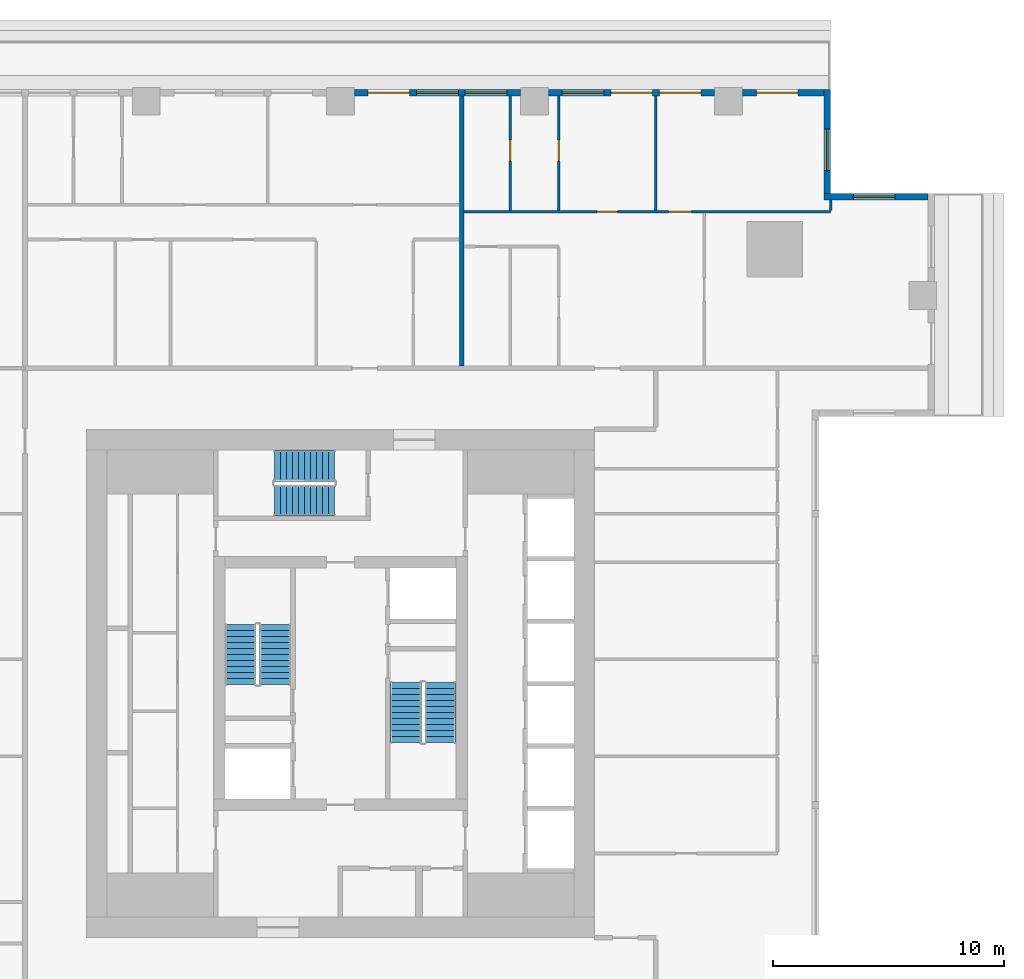
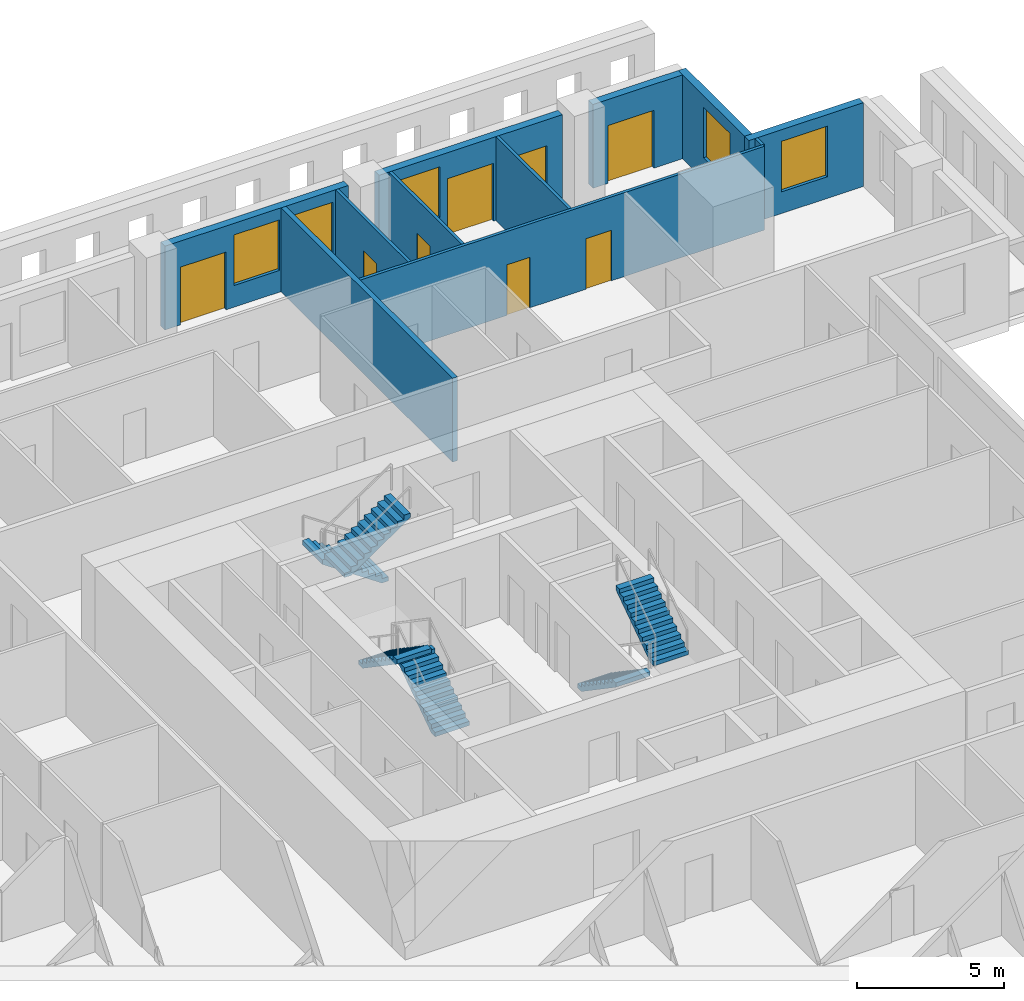
# One storey, part 9 of 15: 11 walls, 8 doors, 6 stair flights, 5 windows, 13 openings, 3 elements without a shape of their own.
"""IFC4 building model written with IfcOpenShell, lengths in metres."""

from ifc_helpers import new_model, si_unit, direction, frame, frame_2d, origin, place, context, subcontext, project, spatial, polyline, rectangle, outline, extrude, material, layer, layer_set, type_object, element, fill, aggregate, save


model = new_model("IFC4")

# Units and contexts
model_context = context("Model", 3, precision=1e-05, world=origin(), true_north=direction((0.0, 1.0)))
body_context = subcontext(model_context, "Body", "Model", "MODEL_VIEW")
ifc_project = project(units=[si_unit("LENGTHUNIT", "METRE"), si_unit("AREAUNIT", "SQUARE_METRE"), si_unit("VOLUMEUNIT", "CUBIC_METRE"), si_unit("PLANEANGLEUNIT", "RADIAN"), si_unit("MASSUNIT", "GRAM", prefix="KILO")], contexts=[model_context])

# Site, building, storey
site_placement = place(None, origin())
site = spatial("IfcSite", under=ifc_project, at=site_placement, CompositionType="ELEMENT")
building_placement = place(site_placement, origin())
building = spatial("IfcBuilding", under=site, at=building_placement, Name="Khepri Terraces", CompositionType="ELEMENT")
storey_placement = place(building_placement, frame((0.0, 0.0, 223.5)))
storey = spatial("IfcBuildingStorey", under=building, at=storey_placement, Name="L53", CompositionType="ELEMENT", Elevation=223.5)

# Wall
ifc_material_1 = material(Name="Fire-rated gypsum plasterboard partition, mineral wool")
ifc_layer_1 = layer(ifc_material_1, 0.199951171875, Name="Fire-rated gypsum plasterboard partition, mineral wool")
ifc_layer_set_1 = layer_set([ifc_layer_1], Name="Fire-rated gypsum plasterboard partition, mineral wool")
wall_type_1 = type_object("IfcWallType", Name="WL-CORR-200", PredefinedType="PARTITIONING", material=ifc_layer_set_1)
wall_1_placement = place(storey_placement, frame((5.25, 13.75, 0.0), z_axis=(0.0, 0.0, 1.0), x_axis=(0.0, 1.0, 0.0)))
element("IfcWall", 1, at=wall_1_placement, inside=storey, type_object=wall_type_1, Name="Partition P-077 L53", PredefinedType="PARTITIONING", context=body_context, shape_type="SweptSolid", body=[
    extrude(rectangle(XDim=11.669921875, YDim=0.199951171875, at=frame_2d((5.8349609375, 0.0))), origin(), (0.0, 0.0, 1.0), 3.47998046875),
])

# Wall, opening, window
ifc_material_2 = material(Name="Precast concrete C50/60 warm stone", Category="masonry")
ifc_layer_2 = layer(ifc_material_2, 0.300048828125, Name="Precast concrete C50/60 warm stone", Category="masonry")
ifc_layer_set_2 = layer_set([ifc_layer_2], Name="Precast concrete C50/60 warm stone")
wall_type_2 = type_object("IfcWallType", Name="WL-EXT-PRECAST-300", PredefinedType="STANDARD", material=ifc_layer_set_2)
wall_2_placement = place(storey_placement, frame((25.419921875, 21.070068359375, 0.0), z_axis=(0.0, 0.0, 1.0), x_axis=(-1.0, 0.0, 0.0)))
wall_2 = element("IfcWall", 2, at=wall_2_placement, inside=storey, type_object=wall_type_2, Name="External wall L53 N", PredefinedType="STANDARD", context=body_context, shape_type="SweptSolid", body=[
    extrude(rectangle(XDim=4.5, YDim=0.300048828125, at=frame_2d((2.25, 0.0))), origin(), (0.0, 0.0, 1.0), 3.47998046875),
])
opening_1_placement = place(wall_2_placement, frame((1.419921875, 0.0, 0.89990234375)))
opening_1 = element("IfcOpeningElement", 3, at=opening_1_placement, cuts=wall_2, Name="Opening W1", PredefinedType="OPENING", context=body_context, shape_type="SweptSolid", body=[
    extrude(rectangle(XDim=1.800048828125, YDim=2.10009765625, at=frame_2d((0.89990234375, 1.050048828125))), frame((0.0, 0.16015625, 0.0), z_axis=(0.0, -1.0, 0.0), x_axis=(1.0, 0.0, 0.0)), (0.0, 0.0, 1.0), 0.320068359375),
])
ifc_material_3 = material(Name="Clear glass", Category="glass")
window_type = type_object("IfcWindowType", Name="WIN-RES-1800x2100", PartitioningType="SINGLE_PANEL", PredefinedType="WINDOW", material=ifc_material_3)
window_1_placement = place(opening_1_placement, origin())
window_1 = element("IfcWindow", 4, at=window_1_placement, inside=storey, type_object=window_type, Name="Window L53 N", OverallHeight=2.10009765625, OverallWidth=1.800048828125, PartitioningType="SINGLE_PANEL", PredefinedType="WINDOW", context=body_context, shape_type="SweptSolid", body=[
    extrude(rectangle(XDim=1.800048828125, YDim=2.10009765625, at=frame_2d((0.89990234375, 1.050048828125))), frame((0.0, 0.030029296875, 0.0), z_axis=(0.0, -1.0, 0.0), x_axis=(1.0, 0.0, 0.0)), (0.0, 0.0, 1.0), 0.06005859375),
])
fill(opening_1, window_1)

wall_3_placement = place(storey_placement, frame((21.070068359375, 21.219970703125, 0.0), z_axis=(0.0, 0.0, 1.0), x_axis=(0.0, 1.0, 0.0)))
wall_3 = element("IfcWall", 5, at=wall_3_placement, inside=storey, type_object=wall_type_2, Name="External wall L53 E", PredefinedType="STANDARD", context=body_context, shape_type="SweptSolid", body=[
    extrude(rectangle(XDim=4.5, YDim=0.300048828125, at=frame_2d((2.25, 0.0))), origin(), (0.0, 0.0, 1.0), 3.47998046875),
])
opening_2_placement = place(wall_3_placement, frame((0.97998046875, 0.0, 0.89990234375)))
opening_2 = element("IfcOpeningElement", 6, at=opening_2_placement, cuts=wall_3, Name="Opening W1", PredefinedType="OPENING", context=body_context, shape_type="SweptSolid", body=[
    extrude(rectangle(XDim=1.800048828125, YDim=2.10009765625, at=frame_2d((0.89990234375, 1.050048828125))), frame((0.0, 0.16015625, 0.0), z_axis=(0.0, -1.0, 0.0), x_axis=(1.0, 0.0, 0.0)), (0.0, 0.0, 1.0), 0.320068359375),
])
window_2_placement = place(opening_2_placement, origin())
window_2 = element("IfcWindow", 7, at=window_2_placement, inside=storey, type_object=window_type, Name="Window L53 E", OverallHeight=2.10009765625, OverallWidth=1.800048828125, PartitioningType="SINGLE_PANEL", PredefinedType="WINDOW", context=body_context, shape_type="SweptSolid", body=[
    extrude(rectangle(XDim=1.800048828125, YDim=2.10009765625, at=frame_2d((0.89990234375, 1.050048828125))), frame((0.0, 0.030029296875, 0.0), z_axis=(0.0, -1.0, 0.0), x_axis=(1.0, 0.0, 0.0)), (0.0, 0.0, 1.0), 0.06005859375),
])
fill(opening_2, window_2)

# Wall, opening, door
wall_4_placement = place(storey_placement, frame((20.919921875, 25.570068359375, 0.0), z_axis=(0.0, 0.0, 1.0), x_axis=(-1.0, 0.0, 0.0)))
wall_4 = element("IfcWall", 8, at=wall_4_placement, inside=storey, type_object=wall_type_2, Name="External wall L53 N", PredefinedType="STANDARD", context=body_context, shape_type="SweptSolid", body=[
    extrude(rectangle(XDim=3.52001953125, YDim=0.300048828125, at=frame_2d((1.760009765625, 0.0))), origin(), (0.0, 0.0, 1.0), 3.47998046875),
])
opening_3_placement = place(wall_4_placement, frame((1.1201171875, 0.0, 0.0)))
opening_3 = element("IfcOpeningElement", 9, at=opening_3_placement, cuts=wall_4, Name="Opening ED-L53-04", PredefinedType="OPENING", context=body_context, shape_type="SweptSolid", body=[
    extrude(rectangle(XDim=1.800048828125, YDim=2.39990234375, at=frame_2d((0.89990234375, 1.199951171875))), frame((0.0, 0.16015625, 0.0), z_axis=(0.0, -1.0, 0.0), x_axis=(1.0, 0.0, 0.0)), (0.0, 0.0, 1.0), 0.320068359375),
])
ifc_material_4 = material(Name="Anodised aluminium bronze glazed door", Category="aluminium")
door_type_1 = type_object("IfcDoorType", Name="DR-BAL-SLIDE-1800x2400", OperationType="NOTDEFINED", PredefinedType="DOOR", material=ifc_material_4)
door_1_placement = place(opening_3_placement, origin())
door_1 = element("IfcDoor", 10, at=door_1_placement, inside=storey, type_object=door_type_1, Name="Balcony door L53 N", OperationType="SLIDING_TO_RIGHT", OverallHeight=2.39990234375, OverallWidth=1.800048828125, PredefinedType="DOOR", context=body_context, shape_type="SweptSolid", body=[
    extrude(rectangle(XDim=1.800048828125, YDim=2.39990234375, at=frame_2d((0.89990234375, 1.199951171875))), frame((0.0, 0.02490234375, 0.0), z_axis=(0.0, -1.0, 0.0), x_axis=(1.0, 0.0, 0.0)), (0.0, 0.0, 1.0), 0.050048828125),
])
fill(opening_3, door_1)

# Wall, openings, doors, window
wall_5_placement = place(storey_placement, frame((16.199951171875, 25.570068359375, 0.0), z_axis=(0.0, 0.0, 1.0), x_axis=(-1.0, 0.0, 0.0)))
wall_5 = element("IfcWall", 11, at=wall_5_placement, inside=storey, type_object=wall_type_2, Name="External wall L53 N", PredefinedType="STANDARD", context=body_context, shape_type="SweptSolid", body=[
    extrude(rectangle(XDim=7.199951171875, YDim=0.300048828125, at=frame_2d((3.60009765625, 0.0))), origin(), (0.0, 0.0, 1.0), 3.47998046875),
])
opening_4_placement = place(wall_5_placement, frame((0.60009765625, 0.0, 0.0)))
opening_4 = element("IfcOpeningElement", 12, at=opening_4_placement, cuts=wall_5, Name="Opening ED-L53-05", PredefinedType="OPENING", context=body_context, shape_type="SweptSolid", body=[
    extrude(rectangle(XDim=1.800048828125, YDim=2.39990234375, at=frame_2d((0.89990234375, 1.199951171875))), frame((0.0, 0.16015625, 0.0), z_axis=(0.0, -1.0, 0.0), x_axis=(1.0, 0.0, 0.0)), (0.0, 0.0, 1.0), 0.320068359375),
])
opening_5_placement = place(wall_5_placement, frame((2.699951171875, 0.0, 0.0)))
opening_5 = element("IfcOpeningElement", 13, at=opening_5_placement, cuts=wall_5, Name="Opening ED-L53-06", PredefinedType="OPENING", context=body_context, shape_type="SweptSolid", body=[
    extrude(rectangle(XDim=1.800048828125, YDim=2.39990234375, at=frame_2d((0.89990234375, 1.199951171875))), frame((0.0, 0.16015625, 0.0), z_axis=(0.0, -1.0, 0.0), x_axis=(1.0, 0.0, 0.0)), (0.0, 0.0, 1.0), 0.320068359375),
])
opening_6_placement = place(wall_5_placement, frame((4.800048828125, 0.0, 0.89990234375)))
opening_6 = element("IfcOpeningElement", 14, at=opening_6_placement, cuts=wall_5, Name="Opening W1", PredefinedType="OPENING", context=body_context, shape_type="SweptSolid", body=[
    extrude(rectangle(XDim=1.800048828125, YDim=2.10009765625, at=frame_2d((0.89990234375, 1.050048828125))), frame((0.0, 0.16015625, 0.0), z_axis=(0.0, -1.0, 0.0), x_axis=(1.0, 0.0, 0.0)), (0.0, 0.0, 1.0), 0.320068359375),
])
door_2_placement = place(opening_4_placement, origin())
door_2 = element("IfcDoor", 15, at=door_2_placement, inside=storey, type_object=door_type_1, Name="Balcony door L53 N", OperationType="SLIDING_TO_LEFT", OverallHeight=2.39990234375, OverallWidth=1.800048828125, PredefinedType="DOOR", context=body_context, shape_type="SweptSolid", body=[
    extrude(rectangle(XDim=1.800048828125, YDim=2.39990234375, at=frame_2d((0.89990234375, 1.199951171875))), frame((0.0, 0.02490234375, 0.0), z_axis=(0.0, -1.0, 0.0), x_axis=(1.0, 0.0, 0.0)), (0.0, 0.0, 1.0), 0.050048828125),
])
fill(opening_4, door_2)
door_3_placement = place(opening_5_placement, origin())
door_3 = element("IfcDoor", 16, at=door_3_placement, inside=storey, type_object=door_type_1, Name="Balcony door L53 N", OperationType="SLIDING_TO_RIGHT", OverallHeight=2.39990234375, OverallWidth=1.800048828125, PredefinedType="DOOR", context=body_context, shape_type="SweptSolid", body=[
    extrude(rectangle(XDim=1.800048828125, YDim=2.39990234375, at=frame_2d((0.89990234375, 1.199951171875))), frame((0.0, 0.02490234375, 0.0), z_axis=(0.0, -1.0, 0.0), x_axis=(1.0, 0.0, 0.0)), (0.0, 0.0, 1.0), 0.050048828125),
])
fill(opening_5, door_3)
window_3_placement = place(opening_6_placement, origin())
window_3 = element("IfcWindow", 17, at=window_3_placement, inside=storey, type_object=window_type, Name="Window L53 N", OverallHeight=2.10009765625, OverallWidth=1.800048828125, PartitioningType="SINGLE_PANEL", PredefinedType="WINDOW", context=body_context, shape_type="SweptSolid", body=[
    extrude(rectangle(XDim=1.800048828125, YDim=2.10009765625, at=frame_2d((0.89990234375, 1.050048828125))), frame((0.0, 0.030029296875, 0.0), z_axis=(0.0, -1.0, 0.0), x_axis=(1.0, 0.0, 0.0)), (0.0, 0.0, 1.0), 0.06005859375),
])
fill(opening_6, window_3)

# Wall, openings, door, windows
wall_6_placement = place(storey_placement, frame((7.800048828125, 25.570068359375, 0.0), z_axis=(0.0, 0.0, 1.0), x_axis=(-1.0, 0.0, 0.0)))
wall_6 = element("IfcWall", 18, at=wall_6_placement, inside=storey, type_object=wall_type_2, Name="External wall L53 N", PredefinedType="STANDARD", context=body_context, shape_type="SweptSolid", body=[
    extrude(rectangle(XDim=7.199951171875, YDim=0.300048828125, at=frame_2d((3.60009765625, 0.0))), origin(), (0.0, 0.0, 1.0), 3.47998046875),
])
opening_7_placement = place(wall_6_placement, frame((0.60009765625, 0.0, 0.89990234375)))
opening_7 = element("IfcOpeningElement", 19, at=opening_7_placement, cuts=wall_6, Name="Opening W1", PredefinedType="OPENING", context=body_context, shape_type="SweptSolid", body=[
    extrude(rectangle(XDim=1.800048828125, YDim=2.10009765625, at=frame_2d((0.89990234375, 1.050048828125))), frame((0.0, 0.16015625, 0.0), z_axis=(0.0, -1.0, 0.0), x_axis=(1.0, 0.0, 0.0)), (0.0, 0.0, 1.0), 0.320068359375),
])
opening_8_placement = place(wall_6_placement, frame((2.699951171875, 0.0, 0.89990234375)))
opening_8 = element("IfcOpeningElement", 20, at=opening_8_placement, cuts=wall_6, Name="Opening W1", PredefinedType="OPENING", context=body_context, shape_type="SweptSolid", body=[
    extrude(rectangle(XDim=1.800048828125, YDim=2.10009765625, at=frame_2d((0.89990234375, 1.050048828125))), frame((0.0, 0.16015625, 0.0), z_axis=(0.0, -1.0, 0.0), x_axis=(1.0, 0.0, 0.0)), (0.0, 0.0, 1.0), 0.320068359375),
])
opening_9_placement = place(wall_6_placement, frame((4.800048828125, 0.0, 0.0)))
opening_9 = element("IfcOpeningElement", 21, at=opening_9_placement, cuts=wall_6, Name="Opening ED-L53-07", PredefinedType="OPENING", context=body_context, shape_type="SweptSolid", body=[
    extrude(rectangle(XDim=1.800048828125, YDim=2.39990234375, at=frame_2d((0.89990234375, 1.199951171875))), frame((0.0, 0.16015625, 0.0), z_axis=(0.0, -1.0, 0.0), x_axis=(1.0, 0.0, 0.0)), (0.0, 0.0, 1.0), 0.320068359375),
])
door_4_placement = place(opening_9_placement, origin())
door_4 = element("IfcDoor", 22, at=door_4_placement, inside=storey, type_object=door_type_1, Name="Balcony door L53 N", OperationType="SLIDING_TO_RIGHT", OverallHeight=2.39990234375, OverallWidth=1.800048828125, PredefinedType="DOOR", context=body_context, shape_type="SweptSolid", body=[
    extrude(rectangle(XDim=1.800048828125, YDim=2.39990234375, at=frame_2d((0.89990234375, 1.199951171875))), frame((0.0, 0.02490234375, 0.0), z_axis=(0.0, -1.0, 0.0), x_axis=(1.0, 0.0, 0.0)), (0.0, 0.0, 1.0), 0.050048828125),
])
fill(opening_9, door_4)
window_4_placement = place(opening_7_placement, origin())
window_4 = element("IfcWindow", 23, at=window_4_placement, inside=storey, type_object=window_type, Name="Window L53 N", OverallHeight=2.10009765625, OverallWidth=1.800048828125, PartitioningType="SINGLE_PANEL", PredefinedType="WINDOW", context=body_context, shape_type="SweptSolid", body=[
    extrude(rectangle(XDim=1.800048828125, YDim=2.10009765625, at=frame_2d((0.89990234375, 1.050048828125))), frame((0.0, 0.030029296875, 0.0), z_axis=(0.0, -1.0, 0.0), x_axis=(1.0, 0.0, 0.0)), (0.0, 0.0, 1.0), 0.06005859375),
])
fill(opening_7, window_4)
window_5_placement = place(opening_8_placement, origin())
window_5 = element("IfcWindow", 24, at=window_5_placement, inside=storey, type_object=window_type, Name="Window L53 N", OverallHeight=2.10009765625, OverallWidth=1.800048828125, PartitioningType="SINGLE_PANEL", PredefinedType="WINDOW", context=body_context, shape_type="SweptSolid", body=[
    extrude(rectangle(XDim=1.800048828125, YDim=2.10009765625, at=frame_2d((0.89990234375, 1.050048828125))), frame((0.0, 0.030029296875, 0.0), z_axis=(0.0, -1.0, 0.0), x_axis=(1.0, 0.0, 0.0)), (0.0, 0.0, 1.0), 0.06005859375),
])
fill(opening_8, window_5)

# Wall, openings, doors
ifc_material_5 = material(Name="Gypsum plasterboard partition")
ifc_layer_3 = layer(ifc_material_5, 0.1201171875, Name="Gypsum plasterboard partition")
ifc_layer_set_3 = layer_set([ifc_layer_3], Name="Gypsum plasterboard partition")
wall_type_3 = type_object("IfcWallType", Name="WL-PART-120", PredefinedType="PARTITIONING", material=ifc_layer_set_3)
wall_7_placement = place(storey_placement, frame((5.35009765625, 20.419921875, 0.0), z_axis=(0.0, 0.0, 1.0), x_axis=(1.0, 0.0, 0.0)))
wall_7 = element("IfcWall", 25, at=wall_7_placement, inside=storey, type_object=wall_type_3, Name="Partition P-085 L53", PredefinedType="PARTITIONING", context=body_context, shape_type="SweptSolid", body=[
    extrude(rectangle(XDim=15.868896484375, YDim=0.1201171875, at=frame_2d((7.9345703125, 0.0))), origin(), (0.0, 0.0, 1.0), 3.47998046875),
])
opening_10_placement = place(wall_7_placement, frame((8.85009765625, 0.0, 0.0)))
opening_10 = element("IfcOpeningElement", 26, at=opening_10_placement, cuts=wall_7, Name="Opening D2", PredefinedType="OPENING", context=body_context, shape_type="SweptSolid", body=[
    extrude(rectangle(XDim=1.0, YDim=2.10009765625, at=frame_2d((0.5, 1.050048828125))), frame((0.0, 0.070068359375, 0.0), z_axis=(0.0, -1.0, 0.0), x_axis=(1.0, 0.0, 0.0)), (0.0, 0.0, 1.0), 0.14013671875),
])
opening_11_placement = place(wall_7_placement, frame((5.75, 0.0, 0.0)))
opening_11 = element("IfcOpeningElement", 27, at=opening_11_placement, cuts=wall_7, Name="Opening D3", PredefinedType="OPENING", context=body_context, shape_type="SweptSolid", body=[
    extrude(rectangle(XDim=0.89990234375, YDim=2.10009765625, at=frame_2d((0.449951171875, 1.050048828125))), frame((0.0, 0.070068359375, 0.0), z_axis=(0.0, -1.0, 0.0), x_axis=(1.0, 0.0, 0.0)), (0.0, 0.0, 1.0), 0.14013671875),
])
ifc_material_6 = material(Name="Timber door leaf, living room door", Category="wood")
door_type_2 = type_object("IfcDoorType", Name="DR-INT-1000", OperationType="NOTDEFINED", PredefinedType="DOOR", material=ifc_material_6)
door_5_placement = place(opening_10_placement, origin())
door_5 = element("IfcDoor", 28, at=door_5_placement, inside=storey, type_object=door_type_2, Name="Door Sun Lounge", OperationType="SINGLE_SWING_RIGHT", OverallHeight=2.10009765625, OverallWidth=1.0, PredefinedType="DOOR", context=body_context, shape_type="SweptSolid", body=[
    extrude(rectangle(XDim=1.0, YDim=2.10009765625, at=frame_2d((0.5, 1.050048828125))), frame((0.0, 0.02490234375, 0.0), z_axis=(0.0, -1.0, 0.0), x_axis=(1.0, 0.0, 0.0)), (0.0, 0.0, 1.0), 0.050048828125),
])
fill(opening_10, door_5)
ifc_material_7 = material(Name="Timber door leaf", Category="wood")
door_type_3 = type_object("IfcDoorType", Name="DR-INT-900", OperationType="NOTDEFINED", PredefinedType="DOOR", material=ifc_material_7)
door_6_placement = place(opening_11_placement, origin())
door_6 = element("IfcDoor", 29, at=door_6_placement, inside=storey, type_object=door_type_3, Name="Door Master Bedroom", OperationType="SINGLE_SWING_LEFT", OverallHeight=2.10009765625, OverallWidth=0.89990234375, PredefinedType="DOOR", context=body_context, shape_type="SweptSolid", body=[
    extrude(rectangle(XDim=0.89990234375, YDim=2.10009765625, at=frame_2d((0.449951171875, 1.050048828125))), frame((0.0, 0.02490234375, 0.0), z_axis=(0.0, -1.0, 0.0), x_axis=(1.0, 0.0, 0.0)), (0.0, 0.0, 1.0), 0.050048828125),
])
fill(opening_11, door_6)

# Wall, opening, door
wall_8_placement = place(storey_placement, frame((7.35009765625, 20.47998046875, 0.0), z_axis=(0.0, 0.0, 1.0), x_axis=(0.0, 1.0, 0.0)))
wall_8 = element("IfcWall", 30, at=wall_8_placement, inside=storey, type_object=wall_type_3, Name="Partition P-086 L53", PredefinedType="PARTITIONING", context=body_context, shape_type="SweptSolid", body=[
    extrude(rectangle(XDim=4.93994140625, YDim=0.1201171875, at=frame_2d((2.469970703125, 0.0))), origin(), (0.0, 0.0, 1.0), 3.47998046875),
])
opening_12_placement = place(wall_8_placement, frame((2.139892578125, 0.0, 0.0)))
opening_12 = element("IfcOpeningElement", 31, at=opening_12_placement, cuts=wall_8, Name="Opening D4", PredefinedType="OPENING", context=body_context, shape_type="SweptSolid", body=[
    extrude(rectangle(XDim=0.89990234375, YDim=2.10009765625, at=frame_2d((0.449951171875, 1.050048828125))), frame((0.0, 0.070068359375, 0.0), z_axis=(0.0, -1.0, 0.0), x_axis=(1.0, 0.0, 0.0)), (0.0, 0.0, 1.0), 0.14013671875),
])
ifc_material_8 = material(Name="Timber door leaf, moisture resistant", Category="wood")
door_type_4 = type_object("IfcDoorType", Name="DR-WET-900", OperationType="NOTDEFINED", PredefinedType="DOOR", material=ifc_material_8)
door_7_placement = place(opening_12_placement, origin())
door_7 = element("IfcDoor", 32, at=door_7_placement, inside=storey, type_object=door_type_4, Name="Door Bathroom", OperationType="SINGLE_SWING_RIGHT", OverallHeight=2.10009765625, OverallWidth=0.89990234375, PredefinedType="DOOR", context=body_context, shape_type="SweptSolid", body=[
    extrude(rectangle(XDim=0.89990234375, YDim=2.10009765625, at=frame_2d((0.449951171875, 1.050048828125))), frame((0.0, 0.02490234375, 0.0), z_axis=(0.0, -1.0, 0.0), x_axis=(1.0, 0.0, 0.0)), (0.0, 0.0, 1.0), 0.050048828125),
])
fill(opening_12, door_7)

wall_9_placement = place(storey_placement, frame((9.449951171875, 20.47998046875, 0.0), z_axis=(0.0, 0.0, 1.0), x_axis=(0.0, 1.0, 0.0)))
wall_9 = element("IfcWall", 33, at=wall_9_placement, inside=storey, type_object=wall_type_3, Name="Partition P-087 L53", PredefinedType="PARTITIONING", context=body_context, shape_type="SweptSolid", body=[
    extrude(rectangle(XDim=4.93994140625, YDim=0.1201171875, at=frame_2d((2.469970703125, 0.0))), origin(), (0.0, 0.0, 1.0), 3.47998046875),
])
opening_13_placement = place(wall_9_placement, frame((2.139892578125, 0.0, 0.0)))
opening_13 = element("IfcOpeningElement", 34, at=opening_13_placement, cuts=wall_9, Name="Opening D3", PredefinedType="OPENING", context=body_context, shape_type="SweptSolid", body=[
    extrude(rectangle(XDim=0.89990234375, YDim=2.10009765625, at=frame_2d((0.449951171875, 1.050048828125))), frame((0.0, 0.070068359375, 0.0), z_axis=(0.0, -1.0, 0.0), x_axis=(1.0, 0.0, 0.0)), (0.0, 0.0, 1.0), 0.14013671875),
])
door_8_placement = place(opening_13_placement, origin())
door_8 = element("IfcDoor", 35, at=door_8_placement, inside=storey, type_object=door_type_3, Name="Door Dressing Room", OperationType="SINGLE_SWING_RIGHT", OverallHeight=2.10009765625, OverallWidth=0.89990234375, PredefinedType="DOOR", context=body_context, shape_type="SweptSolid", body=[
    extrude(rectangle(XDim=0.89990234375, YDim=2.10009765625, at=frame_2d((0.449951171875, 1.050048828125))), frame((0.0, 0.02490234375, 0.0), z_axis=(0.0, -1.0, 0.0), x_axis=(1.0, 0.0, 0.0)), (0.0, 0.0, 1.0), 0.050048828125),
])
fill(opening_13, door_8)

# Walls
wall_10_placement = place(storey_placement, frame((13.64990234375, 20.47998046875, 0.0), z_axis=(0.0, 0.0, 1.0), x_axis=(0.0, 1.0, 0.0)))
element("IfcWall", 36, at=wall_10_placement, inside=storey, type_object=wall_type_3, Name="Partition P-088 L53", PredefinedType="PARTITIONING", context=body_context, shape_type="SweptSolid", body=[
    extrude(rectangle(XDim=4.93994140625, YDim=0.1201171875, at=frame_2d((2.469970703125, 0.0))), origin(), (0.0, 0.0, 1.0), 3.47998046875),
])
wall_11_placement = place(storey_placement, frame((21.218994140625, 20.47998046875, 0.0), z_axis=(0.0, 0.0, 1.0), x_axis=(0.0, 1.0, 0.0)))
element("IfcWall", 37, at=wall_11_placement, inside=storey, type_object=wall_type_3, Name="Partition P-089 L53", PredefinedType="PARTITIONING", context=body_context, shape_type="SweptSolid", body=[
    extrude(rectangle(XDim=0.44091796875, YDim=0.1201171875, at=frame_2d((0.220458984375, 0.0))), origin(), (0.0, 0.0, 1.0), 3.47998046875),
])

# Stair, stair flights
ifc_material_9 = material(Name="Concrete C40/50", Category="concrete")
stair_type = type_object("IfcStairType", Name="STAIR-RC-22R", PredefinedType="HALF_TURN_STAIR", material=ifc_material_9)
stair_1_placement = place(storey_placement, origin())
stair_1 = element("IfcStair", 38, at=stair_1_placement, inside=storey, type_object=stair_type, Name="L53 Exit Stair ST-1", PredefinedType="HALF_TURN_STAIR")
stair_flight_type = type_object("IfcStairFlightType", Name="SFL-RC-177.3", PredefinedType="STRAIGHT", material=ifc_material_9)
stair_flight_1_placement = place(storey_placement, frame((-2.824951171875, -0.050048828125, 0.0), z_axis=(0.0, 0.0, 1.0), x_axis=(0.0, 1.0, 0.0)))
stair_flight_1 = element("IfcStairFlight", 39, at=stair_flight_1_placement, type_object=stair_flight_type, Name="ST-1 flight 1", NumberOfRisers=11, NumberOfTreads=10, PredefinedType="STRAIGHT", RiserHeight=0.177272727, TreadLength=0.26, context=body_context, shape_type="SweptSolid", body=[
    extrude(outline(polyline([(0.0, 0.0), (0.0, 0.17724609375), (0.260009765625, 0.17724609375), (0.260009765625, 0.3544921875), (0.52001953125, 0.3544921875), (0.52001953125, 0.53173828125), (0.780029296875, 0.53173828125), (0.780029296875, 0.708984375), (1.0400390625, 0.708984375), (1.0400390625, 0.886474609375), (1.300048828125, 0.886474609375), (1.300048828125, 1.063720703125), (1.56005859375, 1.063720703125), (1.56005859375, 1.240966796875), (1.820068359375, 1.240966796875), (1.820068359375, 1.418212890625), (2.080078125, 1.418212890625), (2.080078125, 1.595458984375), (2.340087890625, 1.595458984375), (2.340087890625, 1.772705078125), (2.60009765625, 1.772705078125), (2.60009765625, 1.949951171875), (2.60009765625, 1.59130859375), (0.26611328125, 0.0), (0.0, 0.0)])), frame((0.0, 0.675048828125, 0.0), z_axis=(0.0, -1.0, 0.0), x_axis=(1.0, 0.0, 0.0)), (0.0, 0.0, 1.0), 1.35009765625),
])
stair_flight_2_placement = place(storey_placement, frame((-4.324951171875, 2.550048828125, 1.949951171875), z_axis=(0.0, 0.0, 1.0), x_axis=(0.0, -1.0, 0.0)))
stair_flight_2 = element("IfcStairFlight", 40, at=stair_flight_2_placement, type_object=stair_flight_type, Name="ST-1 flight 2", NumberOfRisers=11, NumberOfTreads=10, PredefinedType="STRAIGHT", RiserHeight=0.177272727, TreadLength=0.26, context=body_context, shape_type="SweptSolid", body=[
    extrude(outline(polyline([(0.0, 0.0), (0.0, 0.17724609375), (0.260009765625, 0.17724609375), (0.260009765625, 0.3544921875), (0.52001953125, 0.3544921875), (0.52001953125, 0.53173828125), (0.780029296875, 0.53173828125), (0.780029296875, 0.708984375), (1.0400390625, 0.708984375), (1.0400390625, 0.886474609375), (1.300048828125, 0.886474609375), (1.300048828125, 1.063720703125), (1.56005859375, 1.063720703125), (1.56005859375, 1.240966796875), (1.820068359375, 1.240966796875), (1.820068359375, 1.418212890625), (2.080078125, 1.418212890625), (2.080078125, 1.595458984375), (2.340087890625, 1.595458984375), (2.340087890625, 1.772705078125), (2.60009765625, 1.772705078125), (2.60009765625, 1.949951171875), (2.60009765625, 1.59130859375), (0.26611328125, 0.0), (0.0, 0.0)])), frame((0.0, 0.675048828125, 0.0), z_axis=(0.0, -1.0, 0.0), x_axis=(1.0, 0.0, 0.0)), (0.0, 0.0, 1.0), 1.35009765625),
])
aggregate(stair_1, [stair_flight_1, stair_flight_2])

stair_2_placement = place(storey_placement, origin())
stair_2 = element("IfcStair", 41, at=stair_2_placement, inside=storey, type_object=stair_type, Name="L53 Exit Stair ST-2", PredefinedType="HALF_TURN_STAIR")
stair_flight_3_placement = place(storey_placement, frame((2.824951171875, 0.050048828125, 0.0), z_axis=(0.0, 0.0, 1.0), x_axis=(0.0, -1.0, 0.0)))
stair_flight_3 = element("IfcStairFlight", 42, at=stair_flight_3_placement, type_object=stair_flight_type, Name="ST-2 flight 1", NumberOfRisers=11, NumberOfTreads=10, PredefinedType="STRAIGHT", RiserHeight=0.177272727, TreadLength=0.26, context=body_context, shape_type="SweptSolid", body=[
    extrude(outline(polyline([(0.0, 0.0), (0.0, 0.17724609375), (0.260009765625, 0.17724609375), (0.260009765625, 0.3544921875), (0.52001953125, 0.3544921875), (0.52001953125, 0.53173828125), (0.780029296875, 0.53173828125), (0.780029296875, 0.708984375), (1.0400390625, 0.708984375), (1.0400390625, 0.886474609375), (1.300048828125, 0.886474609375), (1.300048828125, 1.063720703125), (1.56005859375, 1.063720703125), (1.56005859375, 1.240966796875), (1.820068359375, 1.240966796875), (1.820068359375, 1.418212890625), (2.080078125, 1.418212890625), (2.080078125, 1.595458984375), (2.340087890625, 1.595458984375), (2.340087890625, 1.772705078125), (2.60009765625, 1.772705078125), (2.60009765625, 1.949951171875), (2.60009765625, 1.59130859375), (0.26611328125, 0.0), (0.0, 0.0)])), frame((0.0, 0.675048828125, 0.0), z_axis=(0.0, -1.0, 0.0), x_axis=(1.0, 0.0, 0.0)), (0.0, 0.0, 1.0), 1.35009765625),
])
stair_flight_4_placement = place(storey_placement, frame((4.324951171875, -2.550048828125, 1.949951171875), z_axis=(0.0, 0.0, 1.0), x_axis=(0.0, 1.0, 0.0)))
stair_flight_4 = element("IfcStairFlight", 43, at=stair_flight_4_placement, type_object=stair_flight_type, Name="ST-2 flight 2", NumberOfRisers=11, NumberOfTreads=10, PredefinedType="STRAIGHT", RiserHeight=0.177272727, TreadLength=0.26, context=body_context, shape_type="SweptSolid", body=[
    extrude(outline(polyline([(0.0, 0.0), (0.0, 0.17724609375), (0.260009765625, 0.17724609375), (0.260009765625, 0.3544921875), (0.52001953125, 0.3544921875), (0.52001953125, 0.53173828125), (0.780029296875, 0.53173828125), (0.780029296875, 0.708984375), (1.0400390625, 0.708984375), (1.0400390625, 0.886474609375), (1.300048828125, 0.886474609375), (1.300048828125, 1.063720703125), (1.56005859375, 1.063720703125), (1.56005859375, 1.240966796875), (1.820068359375, 1.240966796875), (1.820068359375, 1.418212890625), (2.080078125, 1.418212890625), (2.080078125, 1.595458984375), (2.340087890625, 1.595458984375), (2.340087890625, 1.772705078125), (2.60009765625, 1.772705078125), (2.60009765625, 1.949951171875), (2.60009765625, 1.59130859375), (0.26611328125, 0.0), (0.0, 0.0)])), frame((0.0, 0.675048828125, 0.0), z_axis=(0.0, -1.0, 0.0), x_axis=(1.0, 0.0, 0.0)), (0.0, 0.0, 1.0), 1.35009765625),
])
aggregate(stair_2, [stair_flight_3, stair_flight_4])

stair_3_placement = place(storey_placement, origin())
stair_3 = element("IfcStair", 44, at=stair_3_placement, inside=storey, type_object=stair_type, Name="L53 Exit Stair ST-3", PredefinedType="HALF_TURN_STAIR")
stair_flight_5_placement = place(storey_placement, frame((-0.25, 9.425048828125, 0.0), z_axis=(0.0, 0.0, 1.0), x_axis=(-1.0, 0.0, 0.0)))
stair_flight_5 = element("IfcStairFlight", 45, at=stair_flight_5_placement, type_object=stair_flight_type, Name="ST-3 flight 1", NumberOfRisers=11, NumberOfTreads=10, PredefinedType="STRAIGHT", RiserHeight=0.177272727, TreadLength=0.26, context=body_context, shape_type="SweptSolid", body=[
    extrude(outline(polyline([(0.0, 0.0), (0.0, 0.17724609375), (0.260009765625, 0.17724609375), (0.260009765625, 0.3544921875), (0.52001953125, 0.3544921875), (0.52001953125, 0.53173828125), (0.780029296875, 0.53173828125), (0.780029296875, 0.708984375), (1.0400390625, 0.708984375), (1.0400390625, 0.886474609375), (1.300048828125, 0.886474609375), (1.300048828125, 1.063720703125), (1.56005859375, 1.063720703125), (1.56005859375, 1.240966796875), (1.820068359375, 1.240966796875), (1.820068359375, 1.418212890625), (2.080078125, 1.418212890625), (2.080078125, 1.595458984375), (2.340087890625, 1.595458984375), (2.340087890625, 1.772705078125), (2.60009765625, 1.772705078125), (2.60009765625, 1.949951171875), (2.60009765625, 1.59130859375), (0.26611328125, 0.0), (0.0, 0.0)])), frame((0.0, 0.675048828125, 0.0), z_axis=(0.0, -1.0, 0.0), x_axis=(1.0, 0.0, 0.0)), (0.0, 0.0, 1.0), 1.35009765625),
])
stair_flight_6_placement = place(storey_placement, frame((-2.85009765625, 7.925048828125, 1.949951171875), z_axis=(0.0, 0.0, 1.0), x_axis=(1.0, 0.0, 0.0)))
stair_flight_6 = element("IfcStairFlight", 46, at=stair_flight_6_placement, type_object=stair_flight_type, Name="ST-3 flight 2", NumberOfRisers=11, NumberOfTreads=10, PredefinedType="STRAIGHT", RiserHeight=0.177272727, TreadLength=0.26, context=body_context, shape_type="SweptSolid", body=[
    extrude(outline(polyline([(0.0, 0.0), (0.0, 0.17724609375), (0.260009765625, 0.17724609375), (0.260009765625, 0.3544921875), (0.52001953125, 0.3544921875), (0.52001953125, 0.53173828125), (0.780029296875, 0.53173828125), (0.780029296875, 0.708984375), (1.0400390625, 0.708984375), (1.0400390625, 0.886474609375), (1.300048828125, 0.886474609375), (1.300048828125, 1.063720703125), (1.56005859375, 1.063720703125), (1.56005859375, 1.240966796875), (1.820068359375, 1.240966796875), (1.820068359375, 1.418212890625), (2.080078125, 1.418212890625), (2.080078125, 1.595458984375), (2.340087890625, 1.595458984375), (2.340087890625, 1.772705078125), (2.60009765625, 1.772705078125), (2.60009765625, 1.949951171875), (2.60009765625, 1.59130859375), (0.26611328125, 0.0), (0.0, 0.0)])), frame((0.0, 0.675048828125, 0.0), z_axis=(0.0, -1.0, 0.0), x_axis=(1.0, 0.0, 0.0)), (0.0, 0.0, 1.0), 1.35009765625),
])
aggregate(stair_3, [stair_flight_5, stair_flight_6])

save(model, "model.ifc")
